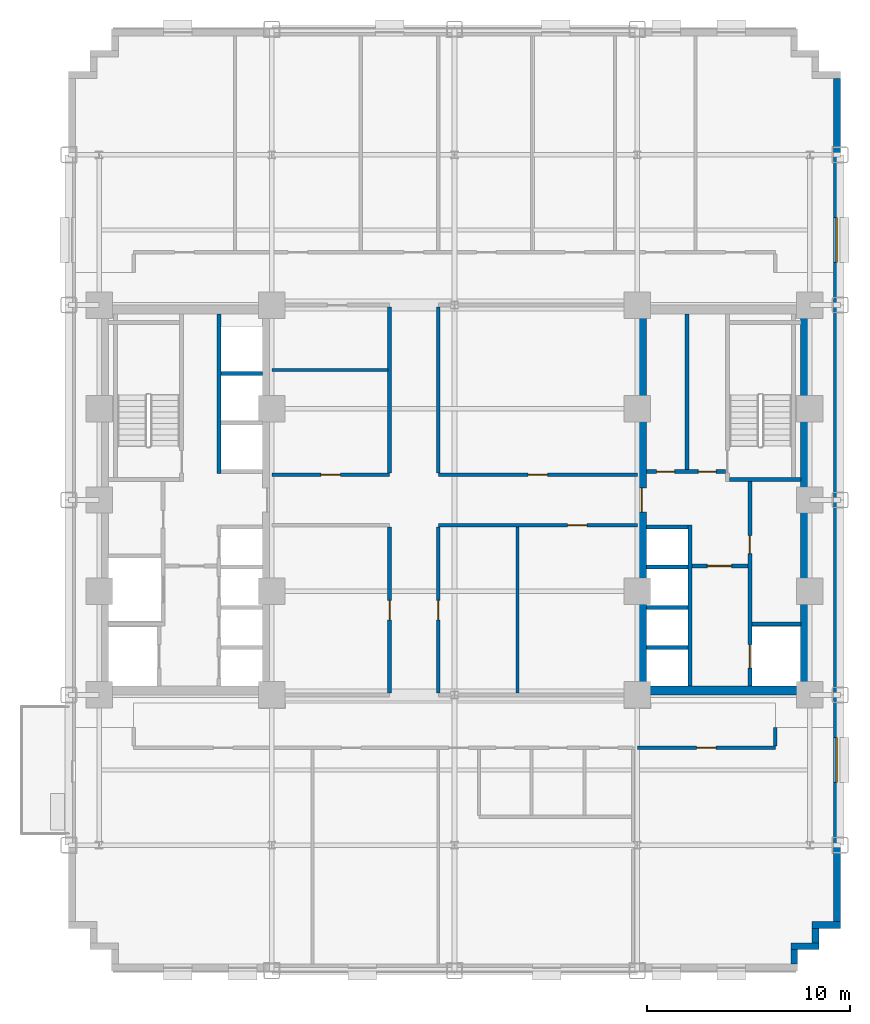
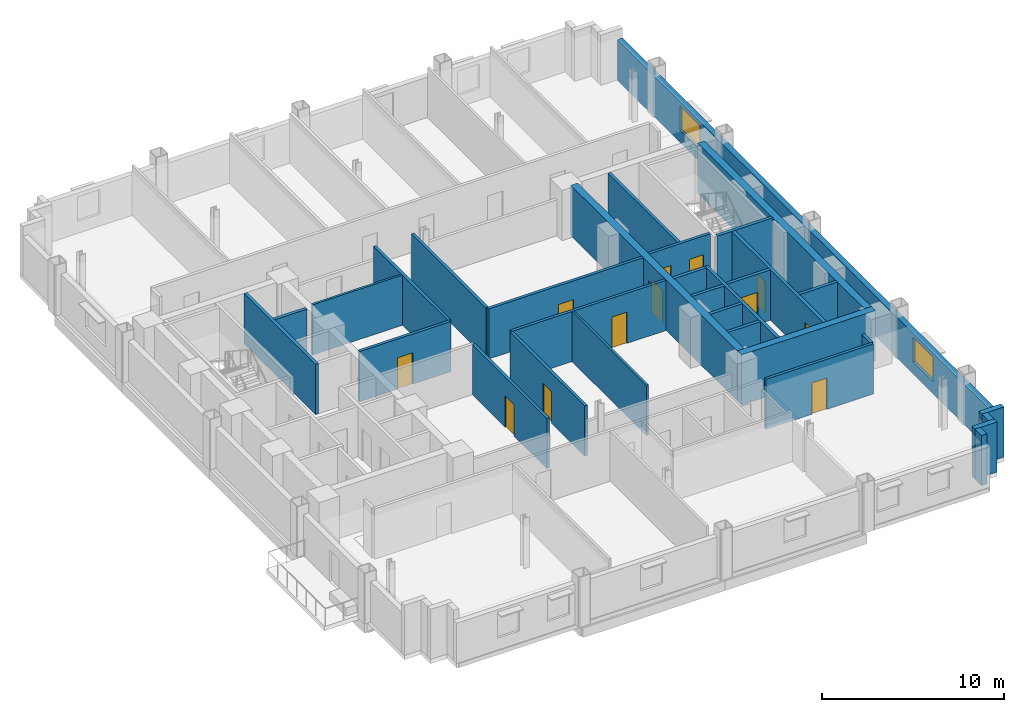
# One storey, part 6 of 12: 32 walls, 12 doors, 2 windows, 14 openings.
"""IFC4 building model written with IfcOpenShell, lengths in metres."""

from ifc_helpers import new_model, si_unit, direction, frame, frame_2d, origin, place, context, subcontext, project, spatial, rectangle, extrude, source, transform, mapped, material, layer, layer_set, type_object, type_shapes, element, fill, save


model = new_model("IFC4")

# Units and contexts
model_context = context("Model", 3, precision=1e-05, world=origin(), true_north=direction((0.0, 1.0)))
body_context = subcontext(model_context, "Body", "Model", "MODEL_VIEW")
ifc_project = project(units=[si_unit("LENGTHUNIT", "METRE"), si_unit("AREAUNIT", "SQUARE_METRE"), si_unit("VOLUMEUNIT", "CUBIC_METRE"), si_unit("PLANEANGLEUNIT", "RADIAN"), si_unit("MASSUNIT", "GRAM", prefix="KILO")], contexts=[model_context])

# Site, building, storey
site_placement = place(None, origin())
site = spatial("IfcSite", under=ifc_project, at=site_placement, CompositionType="ELEMENT")
building_placement = place(site_placement, origin())
building = spatial("IfcBuilding", under=site, at=building_placement, Name="Nuvemarco Arch Tower", CompositionType="ELEMENT")
storey_placement = place(building_placement, frame((0.0, 0.0, 34.89990234375)))
storey = spatial("IfcBuildingStorey", under=building, at=storey_placement, Name="L08", CompositionType="ELEMENT", Elevation=34.89990234375)

# Walls
ifc_material_1 = material(Name="Precast concrete C45/55", Category="concrete")
ifc_layer_1 = layer(ifc_material_1, 0.340087890625, Name="EW-LOW-340")
ifc_layer_set_1 = layer_set([ifc_layer_1], Name="Precast concrete C45/55")
wall_type_1 = type_object("IfcWallType", Name="EW-LOW-340", PredefinedType="STANDARD", material=ifc_layer_set_1)
wall_1_placement = place(storey_placement, frame((16.72998046875, -22.864013671875, 0.0), z_axis=(0.0, 0.0, 1.0), x_axis=(0.0, 1.0, 0.0)))
element("IfcWall", 1, at=wall_1_placement, inside=storey, type_object=wall_type_1, Name="L08 exterior precast facade wall 2", PredefinedType="STANDARD", context=body_context, shape_type="SweptSolid", body=[
    extrude(rectangle(XDim=0.718017578125, YDim=0.340087890625, at=frame_2d((0.35888671875, 0.0))), origin(), (0.0, 0.0, 1.0), 3.360107421875),
])
wall_2_placement = place(storey_placement, frame((16.56005859375, -21.97998046875, 0.0), z_axis=(0.0, 0.0, 1.0), x_axis=(1.0, 0.0, 0.0)))
element("IfcWall", 2, at=wall_2_placement, inside=storey, type_object=wall_type_1, Name="L08 exterior precast facade wall 3", PredefinedType="STANDARD", context=body_context, shape_type="SweptSolid", body=[
    extrude(rectangle(XDim=1.389892578125, YDim=0.340087890625, at=frame_2d((0.69482421875, 0.0))), origin(), (0.0, 0.0, 1.0), 3.360107421875),
])
wall_3_placement = place(storey_placement, frame((17.780029296875, -21.81396484375, 0.0), z_axis=(0.0, 0.0, 1.0), x_axis=(0.0, 1.0, 0.0)))
element("IfcWall", 3, at=wall_3_placement, inside=storey, type_object=wall_type_1, Name="L08 exterior precast facade wall 4", PredefinedType="STANDARD", context=body_context, shape_type="SweptSolid", body=[
    extrude(rectangle(XDim=0.718017578125, YDim=0.340087890625, at=frame_2d((0.35888671875, 0.0))), origin(), (0.0, 0.0, 1.0), 3.360107421875),
])
wall_4_placement = place(storey_placement, frame((17.610107421875, -20.929931640625, 0.0), z_axis=(0.0, 0.0, 1.0), x_axis=(1.0, 0.0, 0.0)))
element("IfcWall", 4, at=wall_4_placement, inside=storey, type_object=wall_type_1, Name="L08 exterior precast facade wall 5", PredefinedType="STANDARD", context=body_context, shape_type="SweptSolid", body=[
    extrude(rectangle(XDim=1.389892578125, YDim=0.340087890625, at=frame_2d((0.69482421875, 0.0))), origin(), (0.0, 0.0, 1.0), 3.360107421875),
])

# Wall, openings, windows
wall_5_placement = place(storey_placement, frame((18.830078125, -20.763916015625, 0.0), z_axis=(0.0, 0.0, 1.0), x_axis=(0.0, 1.0, 0.0)))
wall_5 = element("IfcWall", 5, at=wall_5_placement, inside=storey, type_object=wall_type_1, Name="L08 exterior precast facade wall 6", PredefinedType="STANDARD", context=body_context, shape_type="SweptSolid", body=[
    extrude(rectangle(XDim=41.52783203125, YDim=0.340087890625, at=frame_2d((20.763916015625, 0.0))), origin(), (0.0, 0.0, 1.0), 2.705078125),
])
opening_1_placement = place(wall_5_placement, frame((6.861572265625, 0.0, 0.800048828125)))
opening_1 = element("IfcOpeningElement", 6, at=opening_1_placement, cuts=wall_5, Name="Opening WN-3", PredefinedType="OPENING", context=body_context, shape_type="SweptSolid", body=[
    extrude(rectangle(XDim=2.199951171875, YDim=1.64990234375, at=frame_2d((1.10009765625, 0.824951171875))), frame((0.0, 0.179931640625, 0.0), z_axis=(0.0, -1.0, 0.0), x_axis=(1.0, 0.0, 0.0)), (0.0, 0.0, 1.0), 0.360107421875),
])
opening_2_placement = place(wall_5_placement, frame((32.466552734375, 0.0, 0.800048828125)))
opening_2 = element("IfcOpeningElement", 7, at=opening_2_placement, cuts=wall_5, Name="Opening WN-3", PredefinedType="OPENING", context=body_context, shape_type="SweptSolid", body=[
    extrude(rectangle(XDim=2.199951171875, YDim=1.64990234375, at=frame_2d((1.10009765625, 0.824951171875))), frame((0.0, 0.179931640625, 0.0), z_axis=(0.0, -1.0, 0.0), x_axis=(1.0, 0.0, 0.0)), (0.0, 0.0, 1.0), 0.360107421875),
])
ifc_material_2 = material(Name="Insulated solar-control glass", Category="glass")
window_type = type_object("IfcWindowType", Name="WN-LOW-2200x1650", PartitioningType="DOUBLE_PANEL_VERTICAL", PredefinedType="WINDOW", material=ifc_material_2)
shared_shape_1 = source(origin(), body_context, "Body", "SweptSolid", [
    extrude(rectangle(XDim=2.199951171875, YDim=1.64990234375, at=frame_2d((1.10009765625, 0.824951171875))), frame((0.0, 0.030029296875, 0.0), z_axis=(0.0, -1.0, 0.0), x_axis=(1.0, 0.0, 0.0)), (0.0, 0.0, 1.0), 0.06005859375),
])
type_shapes(window_type, [shared_shape_1])
window_1_placement = place(opening_1_placement, origin())
window_1 = element("IfcWindow", 8, at=window_1_placement, inside=storey, type_object=window_type, Name="L08 punched facade window 2", OverallHeight=1.64990234375, OverallWidth=2.199951171875, PartitioningType="SINGLE_PANEL", PredefinedType="WINDOW", context=body_context, shape_type="MappedRepresentation", body=[
    mapped(shared_shape_1, transform((0.0, 0.0, 0.0), scale=1.0)),
])
fill(opening_1, window_1)
window_2_placement = place(opening_2_placement, origin())
window_2 = element("IfcWindow", 9, at=window_2_placement, inside=storey, type_object=window_type, Name="L08 punched facade window 7", OverallHeight=1.64990234375, OverallWidth=2.199951171875, PartitioningType="SINGLE_PANEL", PredefinedType="WINDOW", context=body_context, shape_type="MappedRepresentation", body=[
    mapped(shared_shape_1, transform((0.0, 0.0, 0.0), scale=1.0)),
])
fill(opening_2, window_2)

# Wall
ifc_material_3 = material(Name="Concrete C60/75", Category="concrete")
ifc_layer_2 = layer(ifc_material_3, 0.449951171875, Name="WL-CORE-450")
ifc_layer_set_2 = layer_set([ifc_layer_2], Name="Concrete C60/75")
wall_type_2 = type_object("IfcWallType", Name="WL-CORE-450", PredefinedType="SHEAR", material=ifc_layer_set_2)
wall_6_placement = place(storey_placement, frame((9.0, -9.375, 0.0), z_axis=(0.0, 0.0, 1.0), x_axis=(1.0, 0.0, 0.0)))
element("IfcWall", 10, at=wall_6_placement, inside=storey, type_object=wall_type_2, Name="L08 E-core shear wall S", PredefinedType="SHEAR", context=body_context, shape_type="SweptSolid", body=[
    extrude(rectangle(XDim=8.5, YDim=0.449951171875, at=frame_2d((4.25, 0.0))), origin(), (0.0, 0.0, 1.0), 3.3701171875),
])

# Wall, opening, door
wall_7_placement = place(storey_placement, frame((9.22509765625, -9.155029296875, 0.0), z_axis=(0.0, 0.0, 1.0), x_axis=(0.0, 1.0, 0.0)))
wall_7 = element("IfcWall", 11, at=wall_7_placement, inside=storey, type_object=wall_type_2, Name="L08 E-core shear wall W", PredefinedType="SHEAR", context=body_context, shape_type="SweptSolid", body=[
    extrude(rectangle(XDim=18.31005859375, YDim=0.449951171875, at=frame_2d((9.155029296875, 0.0))), origin(), (0.0, 0.0, 1.0), 3.3701171875),
])
opening_3_placement = place(wall_7_placement, frame((8.554931640625, 0.0, 0.0)))
opening_3 = element("IfcOpeningElement", 12, at=opening_3_placement, cuts=wall_7, Name="Opening FD-2", PredefinedType="OPENING", context=body_context, shape_type="SweptSolid", body=[
    extrude(rectangle(XDim=1.199951171875, YDim=2.14990234375, at=frame_2d((0.60009765625, 1.074951171875))), frame((0.0, 0.23486328125, 0.0), z_axis=(0.0, -1.0, 0.0), x_axis=(1.0, 0.0, 0.0)), (0.0, 0.0, 1.0), 0.469970703125),
])
ifc_material_4 = material(Name="Anodised steel fire door", Category="steel")
door_type_1 = type_object("IfcDoorType", Name="DR-FFLOB-FD", OperationType="NOTDEFINED", PredefinedType="DOOR", material=ifc_material_4)
shared_shape_2 = source(origin(), body_context, "Body", "SweptSolid", [
    extrude(rectangle(XDim=1.199951171875, YDim=2.14990234375, at=frame_2d((0.60009765625, 1.074951171875))), frame((0.0, 0.02490234375, 0.0), z_axis=(0.0, -1.0, 0.0), x_axis=(1.0, 0.0, 0.0)), (0.0, 0.0, 1.0), 0.050048828125),
])
type_shapes(door_type_1, [shared_shape_2])
door_1_placement = place(opening_3_placement, origin())
door_1 = element("IfcDoor", 13, at=door_1_placement, inside=storey, type_object=door_type_1, Name="L08 door FD-L08-ECORE-W", OperationType="SINGLE_SWING_RIGHT", OverallHeight=2.14990234375, OverallWidth=1.199951171875, PredefinedType="DOOR", context=body_context, shape_type="MappedRepresentation", body=[
    mapped(shared_shape_2, transform((0.0, 0.0, 0.0), scale=1.0)),
])
fill(opening_3, door_1)

# Wall
wall_8_placement = place(storey_placement, frame((17.27490234375, -9.155029296875, 0.0), z_axis=(0.0, 0.0, 1.0), x_axis=(0.0, 1.0, 0.0)))
element("IfcWall", 14, at=wall_8_placement, inside=storey, type_object=wall_type_2, Name="L08 E-core shear wall E", PredefinedType="SHEAR", context=body_context, shape_type="SweptSolid", body=[
    extrude(rectangle(XDim=18.31005859375, YDim=0.449951171875, at=frame_2d((9.155029296875, 0.0))), origin(), (0.0, 0.0, 1.0), 3.3701171875),
])

# Wall, openings, doors
ifc_material_5 = material(Name="Fire-rated gypsum drywall partition")
ifc_layer_3 = layer(ifc_material_5, 0.179931640625, Name="WL-CORR-180")
ifc_layer_set_3 = layer_set([ifc_layer_3], Name="Fire-rated gypsum drywall partition")
wall_type_3 = type_object("IfcWallType", Name="WL-CORR-180", PredefinedType="PARTITIONING", material=ifc_layer_set_3)
wall_9_placement = place(storey_placement, frame((9.445068359375, 1.39990234375, 0.0), z_axis=(0.0, 0.0, 1.0), x_axis=(1.0, 0.0, 0.0)))
wall_9 = element("IfcWall", 15, at=wall_9_placement, inside=storey, type_object=wall_type_3, Name="L08 interior wall IW-L08-EK-S", PredefinedType="PARTITIONING", context=body_context, shape_type="SweptSolid", body=[
    extrude(rectangle(XDim=3.89990234375, YDim=0.179931640625, at=frame_2d((1.949951171875, 0.0))), origin(), (0.0, 0.0, 1.0), 3.360107421875),
])
opening_4_placement = place(wall_9_placement, frame((0.514892578125, 0.0, 0.0)))
opening_4 = element("IfcOpeningElement", 16, at=opening_4_placement, cuts=wall_9, Name="Opening FD-4", PredefinedType="OPENING", context=body_context, shape_type="SweptSolid", body=[
    extrude(rectangle(XDim=0.8798828125, YDim=2.10009765625, at=frame_2d((0.43994140625, 1.050048828125))), frame((0.0, 0.099853515625, 0.0), z_axis=(0.0, -1.0, 0.0), x_axis=(1.0, 0.0, 0.0)), (0.0, 0.0, 1.0), 0.199951171875),
])
opening_5_placement = place(wall_9_placement, frame((2.56494140625, 0.0, 0.0)))
opening_5 = element("IfcOpeningElement", 17, at=opening_5_placement, cuts=wall_9, Name="Opening FD-4", PredefinedType="OPENING", context=body_context, shape_type="SweptSolid", body=[
    extrude(rectangle(XDim=0.8798828125, YDim=2.10009765625, at=frame_2d((0.43994140625, 1.050048828125))), frame((0.0, 0.099853515625, 0.0), z_axis=(0.0, -1.0, 0.0), x_axis=(1.0, 0.0, 0.0)), (0.0, 0.0, 1.0), 0.199951171875),
])
door_type_2 = type_object("IfcDoorType", Name="DR-RISER-FD", OperationType="NOTDEFINED", PredefinedType="DOOR", material=ifc_material_4)
shared_shape_3 = source(origin(), body_context, "Body", "SweptSolid", [
    extrude(rectangle(XDim=0.8798828125, YDim=2.10009765625, at=frame_2d((0.43994140625, 1.050048828125))), frame((0.0, 0.02490234375, 0.0), z_axis=(0.0, -1.0, 0.0), x_axis=(1.0, 0.0, 0.0)), (0.0, 0.0, 1.0), 0.050048828125),
])
type_shapes(door_type_2, [shared_shape_3])
door_2_placement = place(opening_4_placement, origin())
door_2 = element("IfcDoor", 18, at=door_2_placement, inside=storey, type_object=door_type_2, Name="L08 door FD-L08-EK2A", OperationType="SINGLE_SWING_LEFT", OverallHeight=2.10009765625, OverallWidth=0.8798828125, PredefinedType="DOOR", context=body_context, shape_type="MappedRepresentation", body=[
    mapped(shared_shape_3, transform((0.0, 0.0, 0.0), scale=1.0)),
])
fill(opening_4, door_2)
door_3_placement = place(opening_5_placement, origin())
door_3 = element("IfcDoor", 19, at=door_3_placement, inside=storey, type_object=door_type_2, Name="L08 door FD-L08-EK2B", OperationType="SINGLE_SWING_RIGHT", OverallHeight=2.10009765625, OverallWidth=0.8798828125, PredefinedType="DOOR", context=body_context, shape_type="MappedRepresentation", body=[
    mapped(shared_shape_3, transform((0.0, 0.0, 0.0), scale=1.0)),
])
fill(opening_5, door_3)

# Wall
wall_10_placement = place(storey_placement, frame((11.449951171875, 1.489990234375, 0.0), z_axis=(0.0, 0.0, 1.0), x_axis=(0.0, 1.0, 0.0)))
element("IfcWall", 20, at=wall_10_placement, inside=storey, type_object=wall_type_3, Name="L08 interior wall IW-L08-EK2", PredefinedType="PARTITIONING", context=body_context, shape_type="SweptSolid", body=[
    extrude(rectangle(XDim=7.6650390625, YDim=0.179931640625, at=frame_2d((3.83251953125, 0.0))), origin(), (0.0, 0.0, 1.0), 3.360107421875),
])

# Wall, opening, door
wall_11_placement = place(storey_placement, frame((9.0, -12.199951171875, 0.0), z_axis=(0.0, 0.0, 1.0), x_axis=(1.0, 0.0, 0.0)))
wall_11 = element("IfcWall", 21, at=wall_11_placement, inside=storey, type_object=wall_type_3, Name="L08 interior wall IW-L08-003", PredefinedType="PARTITIONING", context=body_context, shape_type="SweptSolid", body=[
    extrude(rectangle(XDim=6.800048828125, YDim=0.179931640625, at=frame_2d((3.39990234375, 0.0))), origin(), (0.0, 0.0, 1.0), 3.360107421875),
])
opening_6_placement = place(wall_11_placement, frame((2.919921875, 0.0, 0.0)))
opening_6 = element("IfcOpeningElement", 22, at=opening_6_placement, cuts=wall_11, Name="Opening FD-5", PredefinedType="OPENING", context=body_context, shape_type="SweptSolid", body=[
    extrude(rectangle(XDim=0.9599609375, YDim=2.10009765625, at=frame_2d((0.47998046875, 1.050048828125))), frame((0.0, 0.099853515625, 0.0), z_axis=(0.0, -1.0, 0.0), x_axis=(1.0, 0.0, 0.0)), (0.0, 0.0, 1.0), 0.199951171875),
])
ifc_material_6 = material(Name="Timber fire door", Category="wood")
door_type_3 = type_object("IfcDoorType", Name="DR-CORR-FD", OperationType="NOTDEFINED", PredefinedType="DOOR", material=ifc_material_6)
shared_shape_4 = source(origin(), body_context, "Body", "SweptSolid", [
    extrude(rectangle(XDim=0.9599609375, YDim=2.10009765625, at=frame_2d((0.47998046875, 1.050048828125))), frame((0.0, 0.02490234375, 0.0), z_axis=(0.0, -1.0, 0.0), x_axis=(1.0, 0.0, 0.0)), (0.0, 0.0, 1.0), 0.050048828125),
])
type_shapes(door_type_3, [shared_shape_4])
door_4_placement = place(opening_6_placement, origin())
door_4 = element("IfcDoor", 23, at=door_4_placement, inside=storey, type_object=door_type_3, Name="L08 door DR-L08-S_4", OperationType="SINGLE_SWING_LEFT", OverallHeight=2.10009765625, OverallWidth=0.9599609375, PredefinedType="DOOR", context=body_context, shape_type="MappedRepresentation", body=[
    mapped(shared_shape_4, transform((0.0, 0.0, 0.0), scale=1.0)),
])
fill(opening_6, door_4)

wall_12_placement = place(storey_placement, frame((-0.800048828125, -1.25, 0.0), z_axis=(0.0, 0.0, 1.0), x_axis=(1.0, 0.0, 0.0)))
wall_12 = element("IfcWall", 24, at=wall_12_placement, inside=storey, type_object=wall_type_3, Name="L08 interior wall IW-L08-008", PredefinedType="PARTITIONING", context=body_context, shape_type="SweptSolid", body=[
    extrude(rectangle(XDim=9.800048828125, YDim=0.179931640625, at=frame_2d((4.89990234375, 0.0))), origin(), (0.0, 0.0, 1.0), 3.360107421875),
])
opening_7_placement = place(wall_12_placement, frame((6.3701171875, 0.0, 0.0)))
opening_7 = element("IfcOpeningElement", 25, at=opening_7_placement, cuts=wall_12, Name="Opening FD-5", PredefinedType="OPENING", context=body_context, shape_type="SweptSolid", body=[
    extrude(rectangle(XDim=0.9599609375, YDim=2.10009765625, at=frame_2d((0.47998046875, 1.050048828125))), frame((0.0, 0.099853515625, 0.0), z_axis=(0.0, -1.0, 0.0), x_axis=(1.0, 0.0, 0.0)), (0.0, 0.0, 1.0), 0.199951171875),
])
door_5_placement = place(opening_7_placement, origin())
door_5 = element("IfcDoor", 26, at=door_5_placement, inside=storey, type_object=door_type_3, Name="L08 door DR-L08-C_SE2", OperationType="SINGLE_SWING_LEFT", OverallHeight=2.10009765625, OverallWidth=0.9599609375, PredefinedType="DOOR", context=body_context, shape_type="MappedRepresentation", body=[
    mapped(shared_shape_4, transform((0.0, 0.0, 0.0), scale=1.0)),
])
fill(opening_7, door_5)

wall_13_placement = place(storey_placement, frame((-9.0, 1.25, 0.0), z_axis=(0.0, 0.0, 1.0), x_axis=(1.0, 0.0, 0.0)))
wall_13 = element("IfcWall", 27, at=wall_13_placement, inside=storey, type_object=wall_type_3, Name="L08 interior wall IW-L08-009", PredefinedType="PARTITIONING", context=body_context, shape_type="SweptSolid", body=[
    extrude(rectangle(XDim=5.800048828125, YDim=0.179931640625, at=frame_2d((2.89990234375, 0.0))), origin(), (0.0, 0.0, 1.0), 3.360107421875),
])
opening_8_placement = place(wall_13_placement, frame((2.419921875, 0.0, 0.0)))
opening_8 = element("IfcOpeningElement", 28, at=opening_8_placement, cuts=wall_13, Name="Opening FD-5", PredefinedType="OPENING", context=body_context, shape_type="SweptSolid", body=[
    extrude(rectangle(XDim=0.9599609375, YDim=2.10009765625, at=frame_2d((0.47998046875, 1.050048828125))), frame((0.0, 0.099853515625, 0.0), z_axis=(0.0, -1.0, 0.0), x_axis=(1.0, 0.0, 0.0)), (0.0, 0.0, 1.0), 0.199951171875),
])
door_6_placement = place(opening_8_placement, origin())
door_6 = element("IfcDoor", 29, at=door_6_placement, inside=storey, type_object=door_type_3, Name="L08 door DR-L08-C_NW1", OperationType="SINGLE_SWING_RIGHT", OverallHeight=2.10009765625, OverallWidth=0.9599609375, PredefinedType="DOOR", context=body_context, shape_type="MappedRepresentation", body=[
    mapped(shared_shape_4, transform((0.0, 0.0, 0.0), scale=1.0)),
])
fill(opening_8, door_6)

wall_14_placement = place(storey_placement, frame((-0.800048828125, 1.25, 0.0), z_axis=(0.0, 0.0, 1.0), x_axis=(1.0, 0.0, 0.0)))
wall_14 = element("IfcWall", 30, at=wall_14_placement, inside=storey, type_object=wall_type_3, Name="L08 interior wall IW-L08-010", PredefinedType="PARTITIONING", context=body_context, shape_type="SweptSolid", body=[
    extrude(rectangle(XDim=9.800048828125, YDim=0.179931640625, at=frame_2d((4.89990234375, 0.0))), origin(), (0.0, 0.0, 1.0), 3.360107421875),
])
opening_9_placement = place(wall_14_placement, frame((4.419921875, 0.0, 0.0)))
opening_9 = element("IfcOpeningElement", 31, at=opening_9_placement, cuts=wall_14, Name="Opening FD-5", PredefinedType="OPENING", context=body_context, shape_type="SweptSolid", body=[
    extrude(rectangle(XDim=0.9599609375, YDim=2.10009765625, at=frame_2d((0.47998046875, 1.050048828125))), frame((0.0, 0.099853515625, 0.0), z_axis=(0.0, -1.0, 0.0), x_axis=(1.0, 0.0, 0.0)), (0.0, 0.0, 1.0), 0.199951171875),
])
door_7_placement = place(opening_9_placement, origin())
door_7 = element("IfcDoor", 32, at=door_7_placement, inside=storey, type_object=door_type_3, Name="L08 door DR-L08-C_NE", OperationType="SINGLE_SWING_LEFT", OverallHeight=2.10009765625, OverallWidth=0.9599609375, PredefinedType="DOOR", context=body_context, shape_type="MappedRepresentation", body=[
    mapped(shared_shape_4, transform((0.0, 0.0, 0.0), scale=1.0)),
])
fill(opening_9, door_7)

wall_15_placement = place(storey_placement, frame((-3.199951171875, -9.513916015625, 0.0), z_axis=(0.0, 0.0, 1.0), x_axis=(0.0, 1.0, 0.0)))
wall_15 = element("IfcWall", 33, at=wall_15_placement, inside=storey, type_object=wall_type_3, Name="L08 interior wall IW-L08-021", PredefinedType="PARTITIONING", context=body_context, shape_type="SweptSolid", body=[
    extrude(rectangle(XDim=8.177978515625, YDim=0.179931640625, at=frame_2d((4.0888671875, 0.0))), origin(), (0.0, 0.0, 1.0), 3.360107421875),
])
opening_10_placement = place(wall_15_placement, frame((3.60888671875, 0.0, 0.0)))
opening_10 = element("IfcOpeningElement", 34, at=opening_10_placement, cuts=wall_15, Name="Opening FD-5", PredefinedType="OPENING", context=body_context, shape_type="SweptSolid", body=[
    extrude(rectangle(XDim=0.9599609375, YDim=2.10009765625, at=frame_2d((0.47998046875, 1.050048828125))), frame((0.0, 0.099853515625, 0.0), z_axis=(0.0, -1.0, 0.0), x_axis=(1.0, 0.0, 0.0)), (0.0, 0.0, 1.0), 0.199951171875),
])
door_8_placement = place(opening_10_placement, origin())
door_8 = element("IfcDoor", 35, at=door_8_placement, inside=storey, type_object=door_type_3, Name="L08 door DR-L08-C_SW", OperationType="SINGLE_SWING_LEFT", OverallHeight=2.10009765625, OverallWidth=0.9599609375, PredefinedType="DOOR", context=body_context, shape_type="MappedRepresentation", body=[
    mapped(shared_shape_4, transform((0.0, 0.0, 0.0), scale=1.0)),
])
fill(opening_10, door_8)

# Wall
wall_16_placement = place(storey_placement, frame((-3.199951171875, 1.3359375, 0.0), z_axis=(0.0, 0.0, 1.0), x_axis=(0.0, 1.0, 0.0)))
element("IfcWall", 36, at=wall_16_placement, inside=storey, type_object=wall_type_3, Name="L08 interior wall IW-L08-022", PredefinedType="PARTITIONING", context=body_context, shape_type="SweptSolid", body=[
    extrude(rectangle(XDim=8.177978515625, YDim=0.179931640625, at=frame_2d((4.0888671875, 0.0))), origin(), (0.0, 0.0, 1.0), 3.360107421875),
])

# Wall, opening, door
wall_17_placement = place(storey_placement, frame((-0.800048828125, -9.513916015625, 0.0), z_axis=(0.0, 0.0, 1.0), x_axis=(0.0, 1.0, 0.0)))
wall_17 = element("IfcWall", 37, at=wall_17_placement, inside=storey, type_object=wall_type_3, Name="L08 interior wall IW-L08-024", PredefinedType="PARTITIONING", context=body_context, shape_type="SweptSolid", body=[
    extrude(rectangle(XDim=8.177978515625, YDim=0.179931640625, at=frame_2d((4.0888671875, 0.0))), origin(), (0.0, 0.0, 1.0), 3.360107421875),
])
opening_11_placement = place(wall_17_placement, frame((3.60888671875, 0.0, 0.0)))
opening_11 = element("IfcOpeningElement", 38, at=opening_11_placement, cuts=wall_17, Name="Opening FD-5", PredefinedType="OPENING", context=body_context, shape_type="SweptSolid", body=[
    extrude(rectangle(XDim=0.9599609375, YDim=2.10009765625, at=frame_2d((0.47998046875, 1.050048828125))), frame((0.0, 0.099853515625, 0.0), z_axis=(0.0, -1.0, 0.0), x_axis=(1.0, 0.0, 0.0)), (0.0, 0.0, 1.0), 0.199951171875),
])
door_9_placement = place(opening_11_placement, origin())
door_9 = element("IfcDoor", 39, at=door_9_placement, inside=storey, type_object=door_type_3, Name="L08 door DR-L08-C_SE1", OperationType="SINGLE_SWING_RIGHT", OverallHeight=2.10009765625, OverallWidth=0.9599609375, PredefinedType="DOOR", context=body_context, shape_type="MappedRepresentation", body=[
    mapped(shared_shape_4, transform((0.0, 0.0, 0.0), scale=1.0)),
])
fill(opening_11, door_9)

# Walls
wall_18_placement = place(storey_placement, frame((-0.800048828125, 1.3359375, 0.0), z_axis=(0.0, 0.0, 1.0), x_axis=(0.0, 1.0, 0.0)))
element("IfcWall", 40, at=wall_18_placement, inside=storey, type_object=wall_type_3, Name="L08 interior wall IW-L08-025", PredefinedType="PARTITIONING", context=body_context, shape_type="SweptSolid", body=[
    extrude(rectangle(XDim=8.177978515625, YDim=0.179931640625, at=frame_2d((4.0888671875, 0.0))), origin(), (0.0, 0.0, 1.0), 3.360107421875),
])
wall_19_placement = place(storey_placement, frame((15.800048828125, -12.114013671875, 0.0), z_axis=(0.0, 0.0, 1.0), x_axis=(0.0, 1.0, 0.0)))
element("IfcWall", 41, at=wall_19_placement, inside=storey, type_object=wall_type_3, Name="L08 interior wall IW-L08-036", PredefinedType="PARTITIONING", context=body_context, shape_type="SweptSolid", body=[
    extrude(rectangle(XDim=0.9140625, YDim=0.179931640625, at=frame_2d((0.45703125, 0.0))), origin(), (0.0, 0.0, 1.0), 3.360107421875),
])
ifc_material_7 = material(Name="Gypsum plasterboard partition")
ifc_layer_4 = layer(ifc_material_7, 0.139892578125, Name="WL-ROOM-140")
ifc_layer_set_4 = layer_set([ifc_layer_4], Name="Gypsum plasterboard partition")
wall_type_4 = type_object("IfcWallType", Name="WL-ROOM-140", PredefinedType="PARTITIONING", material=ifc_layer_set_4)
wall_20_placement = place(storey_placement, frame((-9.0, 6.39990234375, 0.0), z_axis=(0.0, 0.0, 1.0), x_axis=(1.0, 0.0, 0.0)))
element("IfcWall", 42, at=wall_20_placement, inside=storey, type_object=wall_type_4, Name="L08 interior wall IW-L08-011", PredefinedType="PARTITIONING", context=body_context, shape_type="SweptSolid", body=[
    extrude(rectangle(XDim=5.714111328125, YDim=0.139892578125, at=frame_2d((2.85693359375, 0.0))), origin(), (0.0, 0.0, 1.0), 3.360107421875),
])
wall_21_placement = place(storey_placement, frame((3.10009765625, -9.513916015625, 0.0), z_axis=(0.0, 0.0, 1.0), x_axis=(0.0, 1.0, 0.0)))
element("IfcWall", 43, at=wall_21_placement, inside=storey, type_object=wall_type_4, Name="L08 interior wall IW-L08-028", PredefinedType="PARTITIONING", context=body_context, shape_type="SweptSolid", body=[
    extrude(rectangle(XDim=8.177978515625, YDim=0.139892578125, at=frame_2d((4.0888671875, 0.0))), origin(), (0.0, 0.0, 1.0), 3.360107421875),
])
ifc_material_8 = material(Name="Concrete C50/60", Category="concrete")
ifc_layer_5 = layer(ifc_material_8, 0.199951171875, Name="WL-SHAFT-220")
ifc_layer_set_5 = layer_set([ifc_layer_5], Name="Concrete C50/60")
wall_type_5 = type_object("IfcWallType", Name="WL-SHAFT-220", PredefinedType="SHEAR", material=ifc_layer_set_5)
wall_22_placement = place(storey_placement, frame((-11.60009765625, 1.300048828125, 0.0), z_axis=(0.0, 0.0, 1.0), x_axis=(0.0, 1.0, 0.0)))
element("IfcWall", 44, at=wall_22_placement, inside=storey, type_object=wall_type_5, Name="L08 structural shaft wall SW-L08-W-PHW", PredefinedType="SHEAR", context=body_context, shape_type="SweptSolid", body=[
    extrude(rectangle(XDim=7.85498046875, YDim=0.199951171875, at=frame_2d((3.927490234375, 0.0))), origin(), (0.0, 0.0, 1.0), 3.3701171875),
])
wall_23_placement = place(storey_placement, frame((-11.5048828125, 6.219970703125, 0.0), z_axis=(0.0, 0.0, 1.0), x_axis=(1.0, 0.0, 0.0)))
element("IfcWall", 45, at=wall_23_placement, inside=storey, type_object=wall_type_5, Name="L08 structural shaft wall SW-L08-W-PHD3", PredefinedType="SHEAR", context=body_context, shape_type="SweptSolid", body=[
    extrude(rectangle(XDim=2.059814453125, YDim=0.199951171875, at=frame_2d((1.02978515625, 0.0))), origin(), (0.0, 0.0, 1.0), 3.3701171875),
])
wall_24_placement = place(storey_placement, frame((13.534912109375, 1.0, 0.0), z_axis=(0.0, 0.0, 1.0), x_axis=(1.0, 0.0, 0.0)))
element("IfcWall", 46, at=wall_24_placement, inside=storey, type_object=wall_type_5, Name="L08 structural shaft wall SW-L08-E-ST2S", PredefinedType="SHEAR", context=body_context, shape_type="SweptSolid", body=[
    extrude(rectangle(XDim=3.52001953125, YDim=0.199951171875, at=frame_2d((1.760009765625, 0.0))), origin(), (0.0, 0.0, 1.0), 3.3701171875),
])

# Wall, openings, doors
wall_25_placement = place(storey_placement, frame((14.550048828125, -9.155029296875, 0.0), z_axis=(0.0, 0.0, 1.0), x_axis=(0.0, 1.0, 0.0)))
wall_25 = element("IfcWall", 47, at=wall_25_placement, inside=storey, type_object=wall_type_5, Name="L08 structural shaft wall SW-L08-E-SHW", PredefinedType="SHEAR", context=body_context, shape_type="SweptSolid", body=[
    extrude(rectangle(XDim=10.06005859375, YDim=0.199951171875, at=frame_2d((5.030029296875, 0.0))), origin(), (0.0, 0.0, 1.0), 3.3701171875),
])
opening_12_placement = place(wall_25_placement, frame((6.514892578125, 0.0, 0.0)))
opening_12 = element("IfcOpeningElement", 48, at=opening_12_placement, cuts=wall_25, Name="Opening FD-4", PredefinedType="OPENING", context=body_context, shape_type="SweptSolid", body=[
    extrude(rectangle(XDim=0.8798828125, YDim=2.10009765625, at=frame_2d((0.43994140625, 1.050048828125))), frame((0.0, 0.10986328125, 0.0), z_axis=(0.0, -1.0, 0.0), x_axis=(1.0, 0.0, 0.0)), (0.0, 0.0, 1.0), 0.219970703125),
])
opening_13_placement = place(wall_25_placement, frame((0.8798828125, 0.0, 0.0)))
opening_13 = element("IfcOpeningElement", 49, at=opening_13_placement, cuts=wall_25, Name="Opening LD-2", PredefinedType="OPENING", context=body_context, shape_type="SweptSolid", body=[
    extrude(rectangle(XDim=1.14990234375, YDim=2.14990234375, at=frame_2d((0.574951171875, 1.074951171875))), frame((0.0, 0.10986328125, 0.0), z_axis=(0.0, -1.0, 0.0), x_axis=(1.0, 0.0, 0.0)), (0.0, 0.0, 1.0), 0.219970703125),
])
door_10_placement = place(opening_12_placement, origin())
door_10 = element("IfcDoor", 50, at=door_10_placement, inside=storey, type_object=door_type_2, Name="L08 door FD-L08-ERIS", OperationType="SINGLE_SWING_RIGHT", OverallHeight=2.10009765625, OverallWidth=0.8798828125, PredefinedType="DOOR", context=body_context, shape_type="MappedRepresentation", body=[
    mapped(shared_shape_3, transform((0.0, 0.0, 0.0), scale=1.0)),
])
fill(opening_12, door_10)
ifc_material_9 = material(Name="Stainless steel lift door", Category="steel")
door_type_4 = type_object("IfcDoorType", Name="DR-LIFT-FIRE", OperationType="DOUBLE_DOOR_SLIDING", PredefinedType="DOOR", material=ifc_material_9)
shared_shape_5 = source(origin(), body_context, "Body", "SweptSolid", [
    extrude(rectangle(XDim=1.14990234375, YDim=2.14990234375, at=frame_2d((0.574951171875, 1.074951171875))), frame((0.0, 0.02490234375, 0.0), z_axis=(0.0, -1.0, 0.0), x_axis=(1.0, 0.0, 0.0)), (0.0, 0.0, 1.0), 0.050048828125),
])
type_shapes(door_type_4, [shared_shape_5])
door_11_placement = place(opening_13_placement, origin())
door_11 = element("IfcDoor", 51, at=door_11_placement, inside=storey, type_object=door_type_4, Name="L08 Lift landing sliding door FFL-2", OperationType="DOUBLE_DOOR_SLIDING", OverallHeight=2.14990234375, OverallWidth=1.14990234375, PredefinedType="DOOR", context=body_context, shape_type="MappedRepresentation", body=[
    mapped(shared_shape_5, transform((0.0, 0.0, 0.0), scale=1.0)),
])
fill(opening_13, door_11)

# Walls
wall_26_placement = place(storey_placement, frame((14.64501953125, -6.10009765625, 0.0), z_axis=(0.0, 0.0, 1.0), x_axis=(1.0, 0.0, 0.0)))
element("IfcWall", 52, at=wall_26_placement, inside=storey, type_object=wall_type_5, Name="L08 structural shaft wall SW-L08-E-SH1", PredefinedType="SHEAR", context=body_context, shape_type="SweptSolid", body=[
    extrude(rectangle(XDim=2.409912109375, YDim=0.199951171875, at=frame_2d((1.205078125, 0.0))), origin(), (0.0, 0.0, 1.0), 3.3701171875),
])
wall_27_placement = place(storey_placement, frame((11.60009765625, -9.155029296875, 0.0), z_axis=(0.0, 0.0, 1.0), x_axis=(0.0, 1.0, 0.0)))
element("IfcWall", 53, at=wall_27_placement, inside=storey, type_object=wall_type_5, Name="L08 structural shaft wall SW-L08-E-PME", PredefinedType="SHEAR", context=body_context, shape_type="SweptSolid", body=[
    extrude(rectangle(XDim=7.925048828125, YDim=0.199951171875, at=frame_2d((3.96240234375, 0.0))), origin(), (0.0, 0.0, 1.0), 3.3701171875),
])

# Wall, opening, door
wall_28_placement = place(storey_placement, frame((11.695068359375, -3.25, 0.0), z_axis=(0.0, 0.0, 1.0), x_axis=(1.0, 0.0, 0.0)))
wall_28 = element("IfcWall", 54, at=wall_28_placement, inside=storey, type_object=wall_type_5, Name="L08 structural shaft wall SW-L08-E-FFN", PredefinedType="SHEAR", context=body_context, shape_type="SweptSolid", body=[
    extrude(rectangle(XDim=2.760009765625, YDim=0.199951171875, at=frame_2d((1.3798828125, 0.0))), origin(), (0.0, 0.0, 1.0), 3.3701171875),
])
opening_14_placement = place(wall_28_placement, frame((0.7548828125, 0.0, 0.0)))
opening_14 = element("IfcOpeningElement", 55, at=opening_14_placement, cuts=wall_28, Name="Opening FD-2", PredefinedType="OPENING", context=body_context, shape_type="SweptSolid", body=[
    extrude(rectangle(XDim=1.199951171875, YDim=2.14990234375, at=frame_2d((0.60009765625, 1.074951171875))), frame((0.0, 0.10986328125, 0.0), z_axis=(0.0, -1.0, 0.0), x_axis=(1.0, 0.0, 0.0)), (0.0, 0.0, 1.0), 0.219970703125),
])
door_12_placement = place(opening_14_placement, origin())
door_12 = element("IfcDoor", 56, at=door_12_placement, inside=storey, type_object=door_type_1, Name="L08 door FD-L08-EFF2", OperationType="SINGLE_SWING_RIGHT", OverallHeight=2.14990234375, OverallWidth=1.199951171875, PredefinedType="DOOR", context=body_context, shape_type="MappedRepresentation", body=[
    mapped(shared_shape_2, transform((0.0, 0.0, 0.0), scale=1.0)),
])
fill(opening_14, door_12)

# Walls
for number, where, z_axis, x_axis, name in (
    (57, (9.445068359375, -7.27001953125, 0.0), (0.0, 0.0, 1.0), (1.0, 0.0, 0.0), "L08 structural shaft wall SW-L08-E-PMD1"),
    (58, (9.445068359375, -5.2900390625, 0.0), (0.0, 0.0, 1.0), (1.0, 0.0, 0.0), "L08 structural shaft wall SW-L08-E-PMD2"),
    (59, (9.445068359375, -3.31005859375, 0.0), (0.0, 0.0, 1.0), (1.0, 0.0, 0.0), "L08 structural shaft wall SW-L08-E-PMD3"),
    (60, (9.445068359375, -1.330078125, 0.0), (0.0, 0.0, 1.0), (1.0, 0.0, 0.0), "L08 structural shaft wall SW-L08-E-PMD4"),
):
    element("IfcWall", number, at=place(storey_placement, frame(where, z_axis=z_axis, x_axis=x_axis)), inside=storey, type_object=wall_type_5, Name=name, PredefinedType="SHEAR", context=body_context, shape_type="SweptSolid", body=[
        extrude(rectangle(XDim=2.059814453125, YDim=0.199951171875, at=frame_2d((1.02978515625, 0.0))), origin(), (0.0, 0.0, 1.0), 3.3701171875),
    ])

save(model, "model.ifc")
